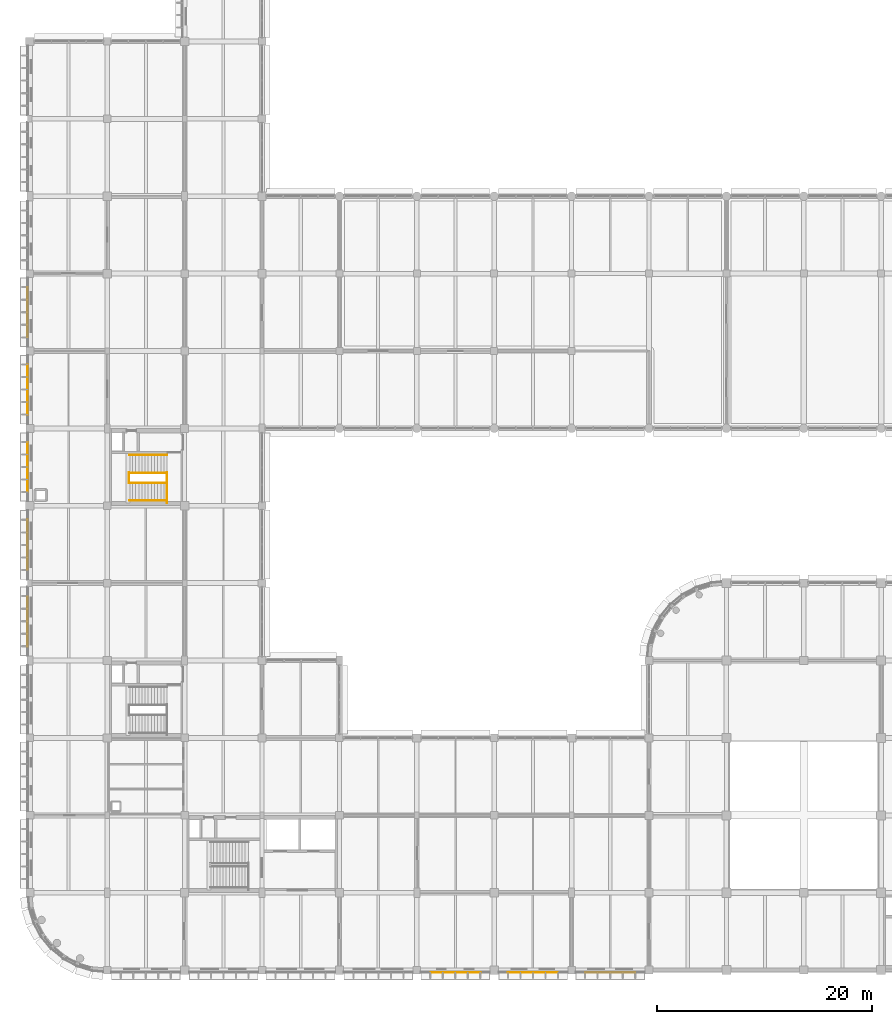
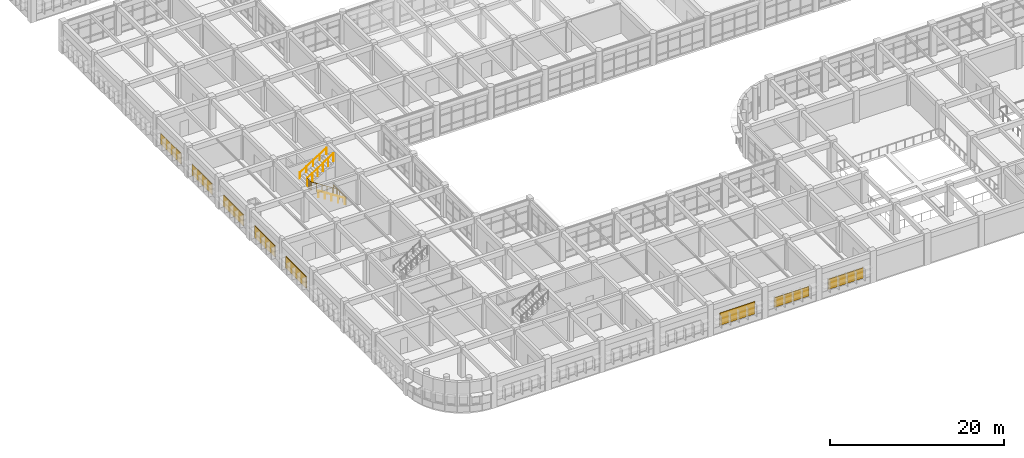
# One storey, part 165 of 171: 8 shading devices, 6 railings.
"""IFC4 building model written with IfcOpenShell, lengths in metres."""

import ifcopenshell
import ifcopenshell.guid

model = None  # the IFC model being written
_history = None  # IfcOwnerHistory: only IFC2X3 demands one
_inside = {}  # id of a spatial element -> (the spatial element, [elements in it])
_under = {}  # id of a project, library or spatial element -> (it, [spatial elements below it])
_declared = {}  # id of a project -> (the project, [libraries it declares])
_typed = {}  # id of a type object -> (the type object, [elements of that type])
_made_of = {}  # id of a material, layer set ... -> (it, [elements and type objects made of it])


def new_model(schema):
    """Start an empty IFC model of exactly this schema.

    Asked for "IFC4X3", IfcOpenShell would pick the latest addendum, in which some entities
    have other attributes; the version numbers below select the first issue.
    IFC2X3 requires an IfcOwnerHistory on every rooted entity: one is made here for all.
    """
    global model, _history
    if schema == "IFC4X3":
        model = ifcopenshell.file(schema_version=(4, 3, 0, 0))
    else:
        model = ifcopenshell.file(schema=schema)
    _inside.clear()
    _under.clear()
    _declared.clear()
    _typed.clear()
    _made_of.clear()
    _history = None
    if model.schema == "IFC2X3":
        org = make("IfcOrganization", Name="unknown")
        user = make(
            "IfcPersonAndOrganization",
            ThePerson=make("IfcPerson", FamilyName="unknown"),
            TheOrganization=org,
        )
        app = make(
            "IfcApplication",
            ApplicationDeveloper=org,
            Version="unknown",
            ApplicationFullName="unknown",
            ApplicationIdentifier="unknown",
        )
        _history = make(
            "IfcOwnerHistory",
            OwningUser=user,
            OwningApplication=app,
            ChangeAction="ADDED",
            CreationDate=0,
        )
    return model


def make(cls, **values):
    """One entity of the class cls with the attributes given. An attribute that is None is left unset."""
    return model.create_entity(
        cls, **{name: value for name, value in values.items() if value is not None}
    )


def rooted(cls, **values):
    """An entity with a GlobalId (a new one), such as an element, a storey or a relation."""
    return make(cls, GlobalId=ifcopenshell.guid.new(), OwnerHistory=_history, **values)


def si_unit(unit_type, name, prefix=None):
    """IfcSIUnit, for example si_unit("LENGTHUNIT", "METRE", prefix="MILLI")."""
    return make("IfcSIUnit", UnitType=unit_type, Prefix=prefix, Name=name)


def assignment(units):
    """IfcUnitAssignment: the units of a project."""
    return None if units is None else make("IfcUnitAssignment", Units=units)


def point(xyz):
    """IfcCartesianPoint."""
    return None if xyz is None else make("IfcCartesianPoint", Coordinates=xyz)


def direction(xyz):
    """IfcDirection."""
    return None if xyz is None else make("IfcDirection", DirectionRatios=xyz)


def frame(location, z_axis=None, x_axis=None):
    """IfcAxis2Placement3D, a coordinate frame: its origin and axes. An axis left out is left unset."""
    return make(
        "IfcAxis2Placement3D",
        Location=point(location),
        Axis=direction(z_axis),
        RefDirection=direction(x_axis),
    )


def frame_2d(location, x_axis=None):
    """IfcAxis2Placement2D, a coordinate frame in the plane: its origin and x axis."""
    return make(
        "IfcAxis2Placement2D", Location=point(location), RefDirection=direction(x_axis)
    )


def origin():
    """The frame at (0, 0, 0) with its axes left unset."""
    return frame((0.0, 0.0, 0.0))


def origin_2d():
    """The frame at (0, 0) in the plane with its x axis left unset."""
    return frame_2d((0.0, 0.0))


def place(relative_to, where):
    """IfcLocalPlacement: puts the frame where relative to a parent placement (None: the world)."""
    return make(
        "IfcLocalPlacement", PlacementRelTo=relative_to, RelativePlacement=where
    )


def context(
    kind, dimensions, precision=None, world=None, true_north=None, identifier=None
):
    """IfcGeometricRepresentationContext, for example the 3D "Model" context."""
    return make(
        "IfcGeometricRepresentationContext",
        ContextIdentifier=identifier,
        ContextType=kind,
        CoordinateSpaceDimension=dimensions,
        Precision=precision,
        WorldCoordinateSystem=world,
        TrueNorth=true_north,
    )


def subcontext(parent, identifier, kind, view, scale=None):
    """IfcGeometricRepresentationSubContext, for example "Body" below "Model"."""
    return make(
        "IfcGeometricRepresentationSubContext",
        ContextIdentifier=identifier,
        ContextType=kind,
        ParentContext=parent,
        TargetScale=scale,
        TargetView=view,
    )


def project(units=None, contexts=None):
    """IfcProject with its units and contexts."""
    return rooted(
        "IfcProject",
        Name="project",
        RepresentationContexts=contexts,
        UnitsInContext=assignment(units),
    )


def spatial(cls, under=None, at=None, **own):
    """A site, building, storey or space (cls), placed at a placement, below another one or the project."""
    s = rooted(cls, ObjectPlacement=at, **own)
    if under is not None:
        _under.setdefault(under.id(), (under, []))[1].append(s)
    return s


def profile(cls, at=None, kind="AREA", **sizes):
    """A parametric profile (cls). Its sizes go by their IFC names, for example OverallWidth=200.0."""
    return make(cls, ProfileType=kind, Position=at, **sizes)


def rectangle(**sizes):
    """IfcRectangleProfileDef."""
    return profile("IfcRectangleProfileDef", **sizes)


def circle(**sizes):
    """IfcCircleProfileDef."""
    return profile("IfcCircleProfileDef", **sizes)


def extrude(swept, where, along, depth):
    """IfcExtrudedAreaSolid: the profile swept, set in the frame where, extruded along a direction by depth."""
    return make(
        "IfcExtrudedAreaSolid",
        SweptArea=swept,
        Position=where,
        ExtrudedDirection=direction(along),
        Depth=depth,
    )


def shape(context_of_items, identifier, shape_type, items):
    """IfcShapeRepresentation: the items that make up one representation, for example the "Body"."""
    return make(
        "IfcShapeRepresentation",
        ContextOfItems=context_of_items,
        RepresentationIdentifier=identifier,
        RepresentationType=shape_type,
        Items=items,
    )


def material(Name=None, Category=None):
    """IfcMaterial."""
    return make("IfcMaterial", Name=Name, Category=Category)


def layer(
    of_material, thickness, ventilated=None, Name=None, Category=None, Priority=None
):
    """IfcMaterialLayer: one layer of a wall or slab, of a material (None: an air gap)."""
    return make(
        "IfcMaterialLayer",
        Material=of_material,
        LayerThickness=thickness,
        IsVentilated=ventilated,
        Name=Name,
        Category=Category,
        Priority=Priority,
    )


def layer_set(layers, Name=None):
    """IfcMaterialLayerSet."""
    return make("IfcMaterialLayerSet", MaterialLayers=layers, LayerSetName=Name)


def made_of(thing, what):
    """Note that an element or type object is made of a material, layer set ...; save() writes the relation."""
    if what is not None:
        _made_of.setdefault(what.id(), (what, []))[1].append(thing)
    return thing


def type_object(cls, material=None, **own):
    """A type object (cls), such as IfcWallType, which elements share."""
    return made_of(rooted(cls, **own), material)


def element(
    cls,
    number,
    at=None,
    inside=None,
    cuts=None,
    type_object=None,
    material=None,
    context=None,
    identifier="Body",
    shape_type=None,
    held_by="IfcProductDefinitionShape",
    body=None,
    shapes=None,
    **own,
):
    """One element of the class cls, such as IfcWall. Its Tag is "e" and its number.

    at: its placement. inside: the storey or other place that contains it. cuts: it is an
    opening in that element (IfcRelVoidsElement). A single representation is given by context,
    identifier, shape_type and body (its items); several are given by shapes. held_by: the class
    of the entity that holds the representations. save() writes the other relations.
    """
    e = rooted(cls, Tag="e%d" % number, ObjectPlacement=at, **own)
    if body is not None:
        shapes = [shape(context, identifier, shape_type, body)]
    if shapes is not None:
        e.Representation = make(held_by, Representations=shapes)
    if inside is not None:
        _inside.setdefault(inside.id(), (inside, []))[1].append(e)
    if cuts is not None:
        rooted(
            "IfcRelVoidsElement", RelatingBuildingElement=cuts, RelatedOpeningElement=e
        )
    if type_object is not None:
        _typed.setdefault(type_object.id(), (type_object, []))[1].append(e)
    return made_of(e, material)


def aggregate(whole, parts):
    """IfcRelAggregates: a whole, such as a stair, and the parts it consists of."""
    return rooted("IfcRelAggregates", RelatingObject=whole, RelatedObjects=parts)


def save(model, path):
    """Write the relations noted so far, then the file.

    IfcRelAggregates (storeys below a building ...), IfcRelContainedInSpatialStructure (elements
    in a storey), IfcRelDefinesByType, IfcRelAssociatesMaterial and IfcRelDeclares: one each for
    every whole, place, type object, material and project.
    """
    for whole, parts in _under.values():
        aggregate(whole, parts)
    for where, things in _inside.values():
        rooted(
            "IfcRelContainedInSpatialStructure",
            RelatedElements=things,
            RelatingStructure=where,
        )
    for kind, things in _typed.values():
        rooted("IfcRelDefinesByType", RelatedObjects=things, RelatingType=kind)
    for what, things in _made_of.values():
        rooted("IfcRelAssociatesMaterial", RelatedObjects=things, RelatingMaterial=what)
    for by, libraries in _declared.values():
        rooted("IfcRelDeclares", RelatingContext=by, RelatedDefinitions=libraries)
    model.write(path)


model = new_model("IFC4")

# Units and contexts
model_context = context("Model", 3, precision=1e-05, world=origin(), true_north=direction((0.0, 1.0)))
body_context = subcontext(model_context, "Body", "Model", "MODEL_VIEW")
ifc_project = project(units=[si_unit("LENGTHUNIT", "METRE"), si_unit("AREAUNIT", "SQUARE_METRE"), si_unit("VOLUMEUNIT", "CUBIC_METRE"), si_unit("PLANEANGLEUNIT", "RADIAN"), si_unit("MASSUNIT", "GRAM", prefix="KILO")], contexts=[model_context])

# Site, building, storey
site_placement = place(None, origin())
site = spatial("IfcSite", under=ifc_project, at=site_placement, CompositionType="ELEMENT")
building_placement = place(site_placement, origin())
building = spatial("IfcBuilding", under=site, at=building_placement, Name="Thalmaran Polytechnic", CompositionType="ELEMENT")
storey_placement = place(building_placement, frame((0.0, 0.0, 5.39990234375)))
storey = spatial("IfcBuildingStorey", under=building, at=storey_placement, Name="L01", CompositionType="ELEMENT", Elevation=5.39990234375)

# Railings
ifc_material_1 = material(Name="Stainless steel 316", Category="steel")
railing_type_1 = type_object("IfcRailingType", Name="RL-GR01", PredefinedType="GUARDRAIL", material=ifc_material_1)
railing_1_placement = place(storey_placement, frame((12.77001953125, 43.449951171875, 0.0)))
element("IfcRailing", 1, at=railing_1_placement, inside=storey, type_object=railing_type_1, Name="ST4 L01 Landing Edge Guardrail", PredefinedType="GUARDRAIL", context=body_context, shape_type="SweptSolid", body=[
    extrude(circle(Radius=0.02392578125, at=origin_2d()), frame((0.0, 0.0, 1.1259765625), z_axis=(0.0, 1.0, 0.0), x_axis=(-1.0, 0.0, 0.0)), (0.0, 0.0, 1.0), 2.8701171875),
    extrude(circle(Radius=0.02099609375, at=origin_2d()), origin(), (0.0, 0.0, 1.0), 1.101806640625),
    extrude(circle(Radius=0.02099609375, at=origin_2d()), frame((0.0, 0.717529296875, 0.0)), (0.0, 0.0, 1.0), 1.101806640625),
    extrude(circle(Radius=0.02099609375, at=origin_2d()), frame((0.0, 1.43505859375, 0.0)), (0.0, 0.0, 1.0), 1.101806640625),
    extrude(circle(Radius=0.02099609375, at=origin_2d()), frame((0.0, 2.152587890625, 0.0)), (0.0, 0.0, 1.0), 1.101806640625),
    extrude(circle(Radius=0.02099609375, at=origin_2d()), frame((0.0, 2.8701171875, 0.0)), (0.0, 0.0, 1.0), 1.101806640625),
])
railing_2_placement = place(storey_placement, frame((12.760009765625, 45.320068359375, 0.0)))
element("IfcRailing", 2, at=railing_2_placement, inside=storey, type_object=railing_type_1, Name="ST4 L01 Lower Flight Guardrail", PredefinedType="GUARDRAIL", context=body_context, shape_type="SweptSolid", body=[
    extrude(circle(Radius=0.02392578125, at=origin_2d()), frame((0.0, 0.0, 1.1259765625), z_axis=(-0.841178475377, 0.0, 0.540757591313), x_axis=(0.0, -1.0, 0.0)), (0.0, 0.0, 1.0), 4.160888671875),
    extrude(circle(Radius=0.02099609375, at=origin_2d()), origin(), (0.0, 0.0, 1.0), 1.101806640625),
    extrude(circle(Radius=0.02099609375, at=origin_2d()), frame((-0.699951171875, 0.0, 0.449951171875)), (0.0, 0.0, 1.0), 1.101806640625),
    extrude(circle(Radius=0.02099609375, at=origin_2d()), frame((-1.39990234375, 0.0, 0.89990234375)), (0.0, 0.0, 1.0), 1.101806640625),
    extrude(circle(Radius=0.02099609375, at=origin_2d()), frame((-2.10009765625, 0.0, 1.35009765625)), (0.0, 0.0, 1.0), 1.101806640625),
    extrude(circle(Radius=0.02099609375, at=origin_2d()), frame((-2.800048828125, 0.0, 1.800048828125)), (0.0, 0.0, 1.0), 1.101806640625),
    extrude(circle(Radius=0.02099609375, at=origin_2d()), frame((-3.5, 0.0, 2.25)), (0.0, 0.0, 1.0), 1.101806640625),
])
railing_3_placement = place(storey_placement, frame((9.219970703125, 45.300048828125, 2.25)))
element("IfcRailing", 3, at=railing_3_placement, inside=storey, type_object=railing_type_1, Name="ST4 L01 Half-Landing Well Guardrail", PredefinedType="GUARDRAIL", context=body_context, shape_type="SweptSolid", body=[
    extrude(circle(Radius=0.02392578125, at=origin_2d()), frame((0.0, 0.0, 1.1259765625), z_axis=(0.0, 1.0, 0.0), x_axis=(-1.0, 0.0, 0.0)), (0.0, 0.0, 1.0), 0.97998046875),
    extrude(circle(Radius=0.02099609375, at=origin_2d()), origin(), (0.0, 0.0, 1.0), 1.101806640625),
    extrude(circle(Radius=0.02099609375, at=origin_2d()), frame((0.0, 0.32666015625, 0.0)), (0.0, 0.0, 1.0), 1.101806640625),
    extrude(circle(Radius=0.02099609375, at=origin_2d()), frame((0.0, 0.6533203125, 0.0)), (0.0, 0.0, 1.0), 1.101806640625),
    extrude(circle(Radius=0.02099609375, at=origin_2d()), frame((0.0, 0.97998046875, 0.0)), (0.0, 0.0, 1.0), 1.101806640625),
])
railing_4_placement = place(storey_placement, frame((9.260009765625, 46.260009765625, 2.25)))
element("IfcRailing", 4, at=railing_4_placement, inside=storey, type_object=railing_type_1, Name="ST4 L01 Upper Flight Guardrail", PredefinedType="GUARDRAIL", context=body_context, shape_type="SweptSolid", body=[
    extrude(circle(Radius=0.02392578125, at=origin_2d()), frame((0.0, 0.0, 1.1259765625), z_axis=(0.841178475377, 0.0, 0.540757591313), x_axis=(0.0, 1.0, 0.0)), (0.0, 0.0, 1.0), 4.160888671875),
    extrude(circle(Radius=0.02099609375, at=origin_2d()), origin(), (0.0, 0.0, 1.0), 1.101806640625),
    extrude(circle(Radius=0.02099609375, at=origin_2d()), frame((0.699951171875, 0.0, 0.449951171875)), (0.0, 0.0, 1.0), 1.101806640625),
    extrude(circle(Radius=0.02099609375, at=origin_2d()), frame((1.39990234375, 0.0, 0.89990234375)), (0.0, 0.0, 1.0), 1.101806640625),
    extrude(circle(Radius=0.02099609375, at=origin_2d()), frame((2.10009765625, 0.0, 1.35009765625)), (0.0, 0.0, 1.0), 1.101806640625),
    extrude(circle(Radius=0.02099609375, at=origin_2d()), frame((2.800048828125, 0.0, 1.800048828125)), (0.0, 0.0, 1.0), 1.101806640625),
    extrude(circle(Radius=0.02099609375, at=origin_2d()), frame((3.5, 0.0, 2.25)), (0.0, 0.0, 1.0), 1.101806640625),
])
railing_type_2 = type_object("IfcRailingType", Name="RL-HR01", PredefinedType="HANDRAIL", material=ifc_material_1)
railing_5_placement = place(storey_placement, frame((12.760009765625, 43.679931640625, 0.0)))
element("IfcRailing", 5, at=railing_5_placement, inside=storey, type_object=railing_type_2, Name="ST4 L01 Flight 1 Handrail", PredefinedType="HANDRAIL", context=body_context, shape_type="SweptSolid", body=[
    extrude(circle(Radius=0.02392578125, at=origin_2d()), frame((0.0, 0.0, 0.8759765625), z_axis=(-0.841178475377, 0.0, 0.540757591313), x_axis=(0.0, -1.0, 0.0)), (0.0, 0.0, 1.0), 4.160888671875),
    extrude(circle(Radius=0.02099609375, at=origin_2d()), origin(), (0.0, 0.0, 1.0), 0.851806640625),
    extrude(circle(Radius=0.02099609375, at=origin_2d()), frame((-0.875, 0.0, 0.5625)), (0.0, 0.0, 1.0), 0.851806640625),
    extrude(circle(Radius=0.02099609375, at=origin_2d()), frame((-1.75, 0.0, 1.125)), (0.0, 0.0, 1.0), 0.851806640625),
    extrude(circle(Radius=0.02099609375, at=origin_2d()), frame((-2.625, 0.0, 1.6875)), (0.0, 0.0, 1.0), 0.851806640625),
    extrude(circle(Radius=0.02099609375, at=origin_2d()), frame((-3.5, 0.0, 2.25)), (0.0, 0.0, 1.0), 0.851806640625),
])
railing_6_placement = place(storey_placement, frame((9.260009765625, 47.919921875, 2.25)))
element("IfcRailing", 6, at=railing_6_placement, inside=storey, type_object=railing_type_2, Name="ST4 L01 Flight 2 Handrail", PredefinedType="HANDRAIL", context=body_context, shape_type="SweptSolid", body=[
    extrude(circle(Radius=0.02392578125, at=origin_2d()), frame((0.0, 0.0, 0.8759765625), z_axis=(0.841178475377, 0.0, 0.540757591313), x_axis=(0.0, 1.0, 0.0)), (0.0, 0.0, 1.0), 4.160888671875),
    extrude(circle(Radius=0.02099609375, at=origin_2d()), origin(), (0.0, 0.0, 1.0), 0.851806640625),
    extrude(circle(Radius=0.02099609375, at=origin_2d()), frame((0.875, 0.0, 0.5625)), (0.0, 0.0, 1.0), 0.851806640625),
    extrude(circle(Radius=0.02099609375, at=origin_2d()), frame((1.75, 0.0, 1.125)), (0.0, 0.0, 1.0), 0.851806640625),
    extrude(circle(Radius=0.02099609375, at=origin_2d()), frame((2.625, 0.0, 1.6875)), (0.0, 0.0, 1.0), 0.851806640625),
    extrude(circle(Radius=0.02099609375, at=origin_2d()), frame((3.5, 0.0, 2.25)), (0.0, 0.0, 1.0), 0.851806640625),
])

# Shading devices
ifc_material_2 = material(Name="Perforated anodised-bronze aluminium screen", Category="aluminium")
ifc_layer = layer(ifc_material_2, 0.080078125, Name="Perforated anodised-bronze aluminium screen")
ifc_layer_set = layer_set([ifc_layer], Name="Perforated anodised-bronze aluminium screen")
shading_device_type = type_object("IfcShadingDeviceType", Name="SH-JL01", PredefinedType="JALOUSIE", material=ifc_layer_set)
shading_device_1_placement = place(storey_placement, frame((-0.219970703125, 32.39990234375, 1.025146484375), z_axis=(0.0, 0.0, 1.0), x_axis=(0.0, 1.0, 0.0)))
element("IfcShadingDevice", 7, at=shading_device_1_placement, inside=storey, type_object=shading_device_type, Name="Anodised-Bronze Mashrabiya Solar Screen L01-005", PredefinedType="JALOUSIE", context=body_context, shape_type="SweptSolid", body=[
    extrude(rectangle(XDim=4.662109375, YDim=0.080078125, at=origin_2d()), origin(), (0.0, 0.0, 1.0), 1.64990234375),
])
shading_device_2_placement = place(storey_placement, frame((-0.219970703125, 39.60009765625, 1.025146484375), z_axis=(0.0, 0.0, 1.0), x_axis=(0.0, 1.0, 0.0)))
element("IfcShadingDevice", 8, at=shading_device_2_placement, inside=storey, type_object=shading_device_type, Name="Anodised-Bronze Mashrabiya Solar Screen L01-006", PredefinedType="JALOUSIE", context=body_context, shape_type="SweptSolid", body=[
    extrude(rectangle(XDim=4.687255859375, YDim=0.080078125, at=origin_2d()), origin(), (0.0, 0.0, 1.0), 1.60009765625),
])
shading_device_3_placement = place(storey_placement, frame((-0.219970703125, 46.800048828125, 1.02490234375), z_axis=(0.0, 0.0, 1.0), x_axis=(0.0, 1.0, 0.0)))
element("IfcShadingDevice", 9, at=shading_device_3_placement, inside=storey, type_object=shading_device_type, Name="Anodised-Bronze Mashrabiya Solar Screen L01-007", PredefinedType="JALOUSIE", context=body_context, shape_type="SweptSolid", body=[
    extrude(rectangle(XDim=4.63330078125, YDim=0.080078125, at=origin_2d()), origin(), (0.0, 0.0, 1.0), 1.550048828125),
])
shading_device_4_placement = place(storey_placement, frame((-0.219970703125, 54.0, 1.025146484375), z_axis=(0.0, 0.0, 1.0), x_axis=(0.0, 1.0, 0.0)))
element("IfcShadingDevice", 10, at=shading_device_4_placement, inside=storey, type_object=shading_device_type, Name="Anodised-Bronze Mashrabiya Solar Screen L01-008", PredefinedType="JALOUSIE", context=body_context, shape_type="SweptSolid", body=[
    extrude(rectangle(XDim=4.65478515625, YDim=0.080078125, at=origin_2d()), origin(), (0.0, 0.0, 1.0), 1.5),
])
shading_device_5_placement = place(storey_placement, frame((-0.219970703125, 61.199951171875, 1.02490234375), z_axis=(0.0, 0.0, 1.0), x_axis=(0.0, 1.0, 0.0)))
element("IfcShadingDevice", 11, at=shading_device_5_placement, inside=storey, type_object=shading_device_type, Name="Anodised-Bronze Mashrabiya Solar Screen L01-009", PredefinedType="JALOUSIE", context=body_context, shape_type="SweptSolid", body=[
    extrude(rectangle(XDim=4.6728515625, YDim=0.080078125, at=origin_2d()), origin(), (0.0, 0.0, 1.0), 1.449951171875),
])
shading_device_6_placement = place(storey_placement, frame((54.0, -0.219970703125, 1.02490234375), z_axis=(0.0, 0.0, 1.0), x_axis=(-1.0, 0.0, 0.0)))
element("IfcShadingDevice", 12, at=shading_device_6_placement, inside=storey, type_object=shading_device_type, Name="Anodised-Bronze Mashrabiya Solar Screen L01-085", PredefinedType="JALOUSIE", context=body_context, shape_type="SweptSolid", body=[
    extrude(rectangle(XDim=4.662109375, YDim=0.080078125, at=origin_2d()), origin(), (0.0, 0.0, 1.0), 1.449951171875),
])
shading_device_7_placement = place(storey_placement, frame((46.800048828125, -0.219970703125, 1.025146484375), z_axis=(0.0, 0.0, 1.0), x_axis=(-1.0, 0.0, 0.0)))
element("IfcShadingDevice", 13, at=shading_device_7_placement, inside=storey, type_object=shading_device_type, Name="Anodised-Bronze Mashrabiya Solar Screen L01-086", PredefinedType="JALOUSIE", context=body_context, shape_type="SweptSolid", body=[
    extrude(rectangle(XDim=4.651123046875, YDim=0.080078125, at=origin_2d()), origin(), (0.0, 0.0, 1.0), 1.35009765625),
])
shading_device_8_placement = place(storey_placement, frame((39.60009765625, -0.219970703125, 1.025146484375), z_axis=(0.0, 0.0, 1.0), x_axis=(-1.0, 0.0, 0.0)))
element("IfcShadingDevice", 14, at=shading_device_8_placement, inside=storey, type_object=shading_device_type, Name="Anodised-Bronze Mashrabiya Solar Screen L01-087", PredefinedType="JALOUSIE", context=body_context, shape_type="SweptSolid", body=[
    extrude(rectangle(XDim=4.651123046875, YDim=0.080078125, at=origin_2d()), origin(), (0.0, 0.0, 1.0), 1.75),
])

save(model, "model.ifc")
